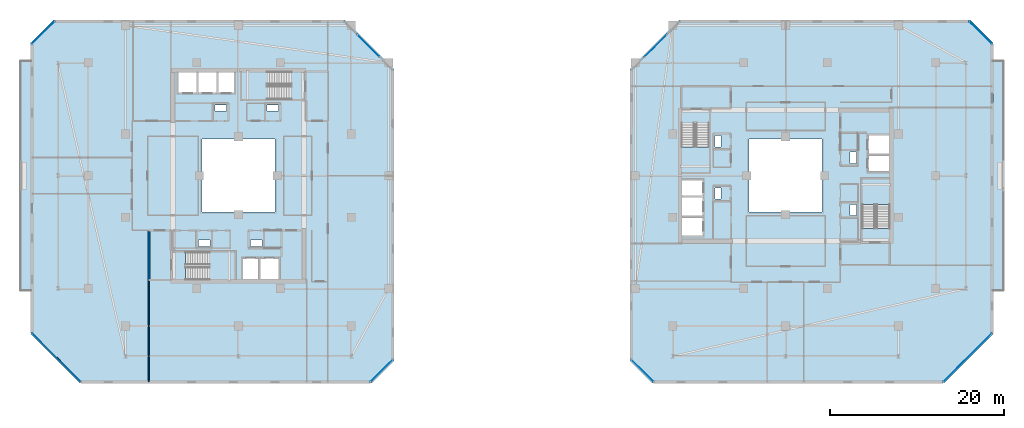
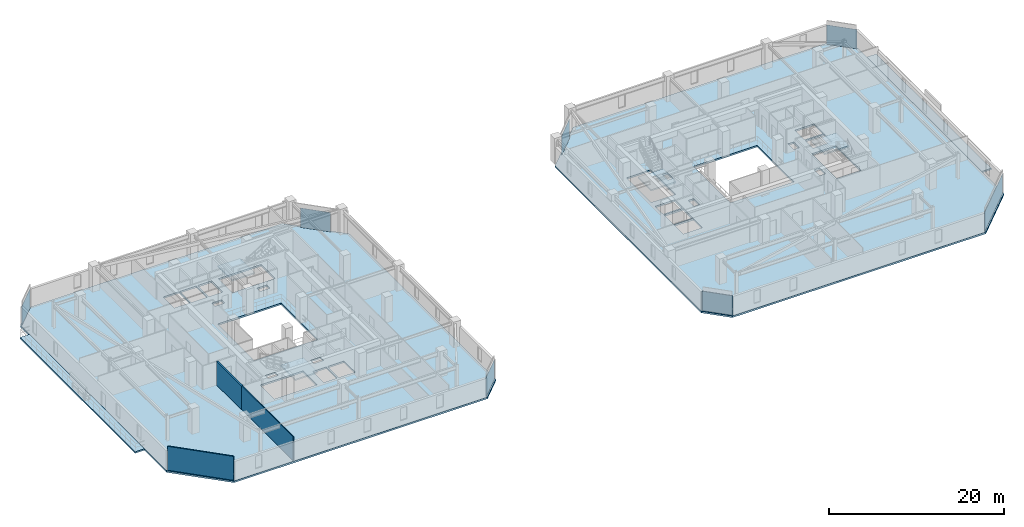
# One storey, part 17 of 31: 8 plates, 8 slabs, 3 walls, 12 elements without a shape of their own.
"""IFC4 building model written with IfcOpenShell, lengths in metres."""

from ifc_helpers import new_model, si_unit, direction, frame, frame_2d, origin, origin_2d, place, context, subcontext, project, spatial, polyline, rectangle, outline, extrude, material, layer, layer_set, type_object, element, aggregate, save


model = new_model("IFC4")

# Units and contexts
model_context = context("Model", 3, precision=1e-05, world=origin(), true_north=direction((0.0, 1.0)))
body_context = subcontext(model_context, "Body", "Model", "MODEL_VIEW")
ifc_project = project(units=[si_unit("LENGTHUNIT", "METRE"), si_unit("AREAUNIT", "SQUARE_METRE"), si_unit("VOLUMEUNIT", "CUBIC_METRE"), si_unit("PLANEANGLEUNIT", "RADIAN"), si_unit("MASSUNIT", "GRAM", prefix="KILO")], contexts=[model_context])

# Site, building, storey
site_placement = place(None, origin())
site = spatial("IfcSite", under=ifc_project, at=site_placement, CompositionType="ELEMENT")
building_placement = place(site_placement, origin())
building = spatial("IfcBuilding", under=site, at=building_placement, Name="Thornwick Lancets Civic Towers", CompositionType="ELEMENT")
storey_placement = place(building_placement, frame((0.0, 0.0, 236.699951171875)))
storey = spatial("IfcBuildingStorey", under=building, at=storey_placement, Name="L63", CompositionType="ELEMENT", Elevation=236.699951171875)

# Curtain wall, plate
ifc_material_1 = material(Name="High-zone chamfered-corner unitised glass curtain wall", Category="glass")
curtain_wall_type = type_object("IfcCurtainWallType", Name="CW_SYS_05", PredefinedType="NOTDEFINED", material=ifc_material_1)
curtain_wall_1_placement = place(storey_placement, origin())
curtain_wall_1 = element("IfcCurtainWall", 1, at=curtain_wall_1_placement, inside=storey, type_object=curtain_wall_type, Name="L63 Curtain Wall CW-L63-A-E1", PredefinedType="NOTDEFINED")
ifc_material_2 = material(Name="Low-e double glazing clear glass", Category="glass")
ifc_layer_1 = layer(ifc_material_2, 0.035888671875, Name="Low-e double glazing clear glass")
ifc_layer_set_1 = layer_set([ifc_layer_1], Name="Low-e double glazing clear glass")
plate_type = type_object("IfcPlateType", Name="CW_PNL_GLASS", PredefinedType="CURTAIN_PANEL", material=ifc_layer_set_1)
plate_1_placement = place(storey_placement, frame((41.972900390625, 4.527099609375, 0.0), z_axis=(0.0, 0.0, 1.0), x_axis=(0.707106781187, 0.707106781187, 0.0)))
plate_1 = element("IfcPlate", 2, at=plate_1_placement, type_object=plate_type, Name="CW-L63-A-E1 Panel 0", PredefinedType="CURTAIN_PANEL", context=body_context, shape_type="SweptSolid", body=[
    extrude(rectangle(XDim=3.649169921875, YDim=0.035888671875, at=origin_2d()), origin(), (0.0, 0.0, 1.0), 2.699951171875),
])
aggregate(curtain_wall_1, [plate_1])

curtain_wall_2_placement = place(storey_placement, origin())
curtain_wall_2 = element("IfcCurtainWall", 3, at=curtain_wall_2_placement, inside=storey, type_object=curtain_wall_type, Name="L63 Curtain Wall CW-L63-A-E3", PredefinedType="NOTDEFINED")
plate_2_placement = place(storey_placement, frame((40.451416015625, 41.951416015625, 0.0), z_axis=(0.0, 0.0, 1.0), x_axis=(-0.707106781187, 0.707106781187, 0.0)))
plate_2 = element("IfcPlate", 4, at=plate_2_placement, type_object=plate_type, Name="CW-L63-A-E3 Panel 0", PredefinedType="CURTAIN_PANEL", context=body_context, shape_type="SweptSolid", body=[
    extrude(rectangle(XDim=3.5771484375, YDim=0.035888671875, at=origin_2d()), origin(), (0.0, 0.0, 1.0), 2.699951171875),
])
aggregate(curtain_wall_2, [plate_2])

curtain_wall_3_placement = place(storey_placement, origin())
curtain_wall_3 = element("IfcCurtainWall", 5, at=curtain_wall_3_placement, inside=storey, type_object=curtain_wall_type, Name="L63 Curtain Wall CW-L63-A-E5", PredefinedType="NOTDEFINED")
plate_3_placement = place(storey_placement, frame((3.027099609375, 43.472900390625, 0.0), z_axis=(0.0, 0.0, 1.0), x_axis=(-0.707106781187, -0.707106781187, 0.0)))
plate_3 = element("IfcPlate", 6, at=plate_3_placement, type_object=plate_type, Name="CW-L63-A-E5 Panel 0", PredefinedType="CURTAIN_PANEL", context=body_context, shape_type="SweptSolid", body=[
    extrude(rectangle(XDim=3.649169921875, YDim=0.035888671875, at=origin_2d()), origin(), (0.0, 0.0, 1.0), 2.699951171875),
])
aggregate(curtain_wall_3, [plate_3])

curtain_wall_4_placement = place(storey_placement, origin())
curtain_wall_4 = element("IfcCurtainWall", 7, at=curtain_wall_4_placement, inside=storey, type_object=curtain_wall_type, Name="L63 Curtain Wall CW-L63-A-E7", PredefinedType="NOTDEFINED")
plate_4_placement = place(storey_placement, frame((4.548828125, 6.048828125, 0.0), z_axis=(0.0, 0.0, 1.0), x_axis=(0.707106781187, -0.707106781187, 0.0)))
plate_4 = element("IfcPlate", 8, at=plate_4_placement, type_object=plate_type, Name="CW-L63-A-E7 Panel 0", PredefinedType="CURTAIN_PANEL", context=body_context, shape_type="SweptSolid", body=[
    extrude(rectangle(XDim=7.925048828125, YDim=0.035888671875, at=origin_2d()), origin(), (0.0, 0.0, 1.0), 2.699951171875),
])
aggregate(curtain_wall_4, [plate_4])

curtain_wall_5_placement = place(storey_placement, origin())
curtain_wall_5 = element("IfcCurtainWall", 9, at=curtain_wall_5_placement, inside=storey, type_object=curtain_wall_type, Name="L63 Curtain Wall CW-L63-B-E1", PredefinedType="NOTDEFINED")
plate_5_placement = place(storey_placement, frame((109.451416015625, 6.048828125, 0.0), z_axis=(0.0, 0.0, 1.0), x_axis=(0.707106781187, 0.707106781187, 0.0)))
plate_5 = element("IfcPlate", 10, at=plate_5_placement, type_object=plate_type, Name="CW-L63-B-E1 Panel 0", PredefinedType="CURTAIN_PANEL", context=body_context, shape_type="SweptSolid", body=[
    extrude(rectangle(XDim=7.925048828125, YDim=0.035888671875, at=origin_2d()), origin(), (0.0, 0.0, 1.0), 2.699951171875),
])
aggregate(curtain_wall_5, [plate_5])

curtain_wall_6_placement = place(storey_placement, origin())
curtain_wall_6 = element("IfcCurtainWall", 11, at=curtain_wall_6_placement, inside=storey, type_object=curtain_wall_type, Name="L63 Curtain Wall CW-L63-B-E3", PredefinedType="NOTDEFINED")
plate_6_placement = place(storey_placement, frame((110.972900390625, 43.472900390625, 0.0), z_axis=(0.0, 0.0, 1.0), x_axis=(-0.707106781187, 0.707106781187, 0.0)))
plate_6 = element("IfcPlate", 12, at=plate_6_placement, type_object=plate_type, Name="CW-L63-B-E3 Panel 0", PredefinedType="CURTAIN_PANEL", context=body_context, shape_type="SweptSolid", body=[
    extrude(rectangle(XDim=3.649169921875, YDim=0.035888671875, at=origin_2d()), origin(), (0.0, 0.0, 1.0), 2.699951171875),
])
aggregate(curtain_wall_6, [plate_6])

curtain_wall_7_placement = place(storey_placement, origin())
curtain_wall_7 = element("IfcCurtainWall", 13, at=curtain_wall_7_placement, inside=storey, type_object=curtain_wall_type, Name="L63 Curtain Wall CW-L63-B-E5", PredefinedType="NOTDEFINED")
plate_7_placement = place(storey_placement, frame((73.548583984375, 41.951416015625, 0.0), z_axis=(0.0, 0.0, 1.0), x_axis=(-0.707106781187, -0.707106781187, 0.0)))
plate_7 = element("IfcPlate", 14, at=plate_7_placement, type_object=plate_type, Name="CW-L63-B-E5 Panel 0", PredefinedType="CURTAIN_PANEL", context=body_context, shape_type="SweptSolid", body=[
    extrude(rectangle(XDim=3.5771484375, YDim=0.035888671875, at=origin_2d()), origin(), (0.0, 0.0, 1.0), 2.699951171875),
])
aggregate(curtain_wall_7, [plate_7])

curtain_wall_8_placement = place(storey_placement, origin())
curtain_wall_8 = element("IfcCurtainWall", 15, at=curtain_wall_8_placement, inside=storey, type_object=curtain_wall_type, Name="L63 Curtain Wall CW-L63-B-E7", PredefinedType="NOTDEFINED")
plate_8_placement = place(storey_placement, frame((72.027099609375, 4.527099609375, 0.0), z_axis=(0.0, 0.0, 1.0), x_axis=(0.707106781187, -0.707106781187, 0.0)))
plate_8 = element("IfcPlate", 16, at=plate_8_placement, type_object=plate_type, Name="CW-L63-B-E7 Panel 0", PredefinedType="CURTAIN_PANEL", context=body_context, shape_type="SweptSolid", body=[
    extrude(rectangle(XDim=3.649169921875, YDim=0.035888671875, at=origin_2d()), origin(), (0.0, 0.0, 1.0), 2.699951171875),
])
aggregate(curtain_wall_8, [plate_8])

# Slabs
ifc_material_3 = material(Name="Post-tensioned concrete C40/50", Category="concrete")
ifc_layer_2 = layer(ifc_material_3, 0.199951171875, Name="Post-tensioned concrete C40/50")
ifc_layer_set_2 = layer_set([ifc_layer_2], Name="Post-tensioned concrete C40/50")
slab_type_1 = type_object("IfcSlabType", Name="SLAB_BALCONY_200", PredefinedType="FLOOR", material=ifc_layer_set_2)
slab_1_placement = place(storey_placement, frame((0.0, 0.0, -0.199951171875)))
element("IfcSlab", 17, at=slab_1_placement, inside=storey, type_object=slab_type_1, Name="L63 Tower A Planted Balcony Slab W", PredefinedType="FLOOR", context=body_context, shape_type="SweptSolid", body=[
    extrude(outline(polyline([(0.35009765625, 13.800048828125), (1.60009765625, 13.800048828125), (1.60009765625, 40.199951171875), (0.35009765625, 40.199951171875), (0.35009765625, 13.800048828125)])), origin(), (0.0, 0.0, 1.0), 0.199951171875),
])
slab_2_placement = place(storey_placement, frame((0.0, 0.0, -0.199951171875)))
element("IfcSlab", 18, at=slab_2_placement, inside=storey, type_object=slab_type_1, Name="L63 Tower B Planted Balcony Slab E", PredefinedType="FLOOR", context=body_context, shape_type="SweptSolid", body=[
    extrude(outline(polyline([(112.39990234375, 13.800048828125), (113.64990234375, 13.800048828125), (113.64990234375, 40.199951171875), (112.39990234375, 40.199951171875), (112.39990234375, 13.800048828125)])), origin(), (0.0, 0.0, 1.0), 0.199951171875),
])

# Stair, slab
ifc_material_4 = material(Name="Concrete C40/50", Category="concrete")
stair_type = type_object("IfcStairType", Name="STAIR_DL_3600", PredefinedType="HALF_TURN_STAIR", material=ifc_material_4)
stair_1_placement = place(storey_placement, origin())
stair_1 = element("IfcStair", 19, at=stair_1_placement, inside=storey, type_object=stair_type, Name="L63 Tower A South Exit Stair ST-A1", PredefinedType="HALF_TURN_STAIR")
ifc_layer_3 = layer(ifc_material_4, 0.25, Name="Concrete C40/50")
ifc_layer_set_3 = layer_set([ifc_layer_3], Name="Concrete C40/50")
slab_type_2 = type_object("IfcSlabType", Name="SLAB_LANDING_200", PredefinedType="LANDING", material=ifc_layer_set_3)
slab_3_placement = place(storey_placement, frame((0.0, 0.0, 1.60302734375)))
slab_3 = element("IfcSlab", 20, at=slab_3_placement, type_object=slab_type_2, Name="ST-A1 landing 1", PredefinedType="LANDING", context=body_context, shape_type="SweptSolid", body=[
    extrude(outline(polyline([(22.169921875, 14.93994140625), (25.14990234375, 14.93994140625), (25.14990234375, 18.260009765625), (22.169921875, 18.260009765625), (22.169921875, 14.93994140625)])), origin(), (0.0, 0.0, 1.0), 0.199951171875),
])
aggregate(stair_1, [slab_3])

stair_2_placement = place(storey_placement, origin())
stair_2 = element("IfcStair", 21, at=stair_2_placement, inside=storey, type_object=stair_type, Name="L63 Tower A North Exit Stair ST-A2", PredefinedType="HALF_TURN_STAIR")
slab_4_placement = place(storey_placement, frame((0.0, 0.0, 1.60302734375)))
slab_4 = element("IfcSlab", 22, at=slab_4_placement, type_object=slab_type_2, Name="ST-A2 landing 1", PredefinedType="LANDING", context=body_context, shape_type="SweptSolid", body=[
    extrude(outline(polyline([(28.830078125, 39.06005859375), (25.85009765625, 39.06005859375), (25.85009765625, 35.739990234375), (28.830078125, 35.739990234375), (28.830078125, 39.06005859375)])), origin(), (0.0, 0.0, 1.0), 0.199951171875),
])
aggregate(stair_2, [slab_4])

stair_3_placement = place(storey_placement, origin())
stair_3 = element("IfcStair", 23, at=stair_3_placement, inside=storey, type_object=stair_type, Name="L63 Tower B East Exit Stair ST-B1", PredefinedType="HALF_TURN_STAIR")
slab_5_placement = place(storey_placement, frame((0.0, 0.0, 1.60302734375)))
slab_5 = element("IfcSlab", 24, at=slab_5_placement, type_object=slab_type_2, Name="ST-B1 landing 1", PredefinedType="LANDING", context=body_context, shape_type="SweptSolid", body=[
    extrude(outline(polyline([(100.56005859375, 23.669921875), (100.56005859375, 26.64990234375), (97.239990234375, 26.64990234375), (97.239990234375, 23.669921875), (100.56005859375, 23.669921875)])), origin(), (0.0, 0.0, 1.0), 0.199951171875),
])
aggregate(stair_3, [slab_5])

stair_4_placement = place(storey_placement, origin())
stair_4 = element("IfcStair", 25, at=stair_4_placement, inside=storey, type_object=stair_type, Name="L63 Tower B West Exit Stair ST-B2", PredefinedType="HALF_TURN_STAIR")
slab_6_placement = place(storey_placement, frame((0.0, 0.0, 1.60302734375)))
slab_6 = element("IfcSlab", 26, at=slab_6_placement, type_object=slab_type_2, Name="ST-B2 landing 1", PredefinedType="LANDING", context=body_context, shape_type="SweptSolid", body=[
    extrude(outline(polyline([(76.43994140625, 30.330078125), (76.43994140625, 27.35009765625), (79.760009765625, 27.35009765625), (79.760009765625, 30.330078125), (76.43994140625, 30.330078125)])), origin(), (0.0, 0.0, 1.0), 0.199951171875),
])
aggregate(stair_4, [slab_6])

# Slabs
ifc_layer_4 = layer(ifc_material_3, 0.239990234375, Name="Post-tensioned concrete C40/50")
ifc_layer_set_4 = layer_set([ifc_layer_4], Name="Post-tensioned concrete C40/50")
slab_type_3 = type_object("IfcSlabType", Name="SLAB_PT_240", PredefinedType="FLOOR", material=ifc_layer_set_4)
slab_7_placement = place(storey_placement, frame((0.0, 0.0, -0.239990234375)))
element("IfcSlab", 27, at=slab_7_placement, inside=storey, type_object=slab_type_3, Name="L63 Tower A Floor Slab", PredefinedType="FLOOR", context=body_context, shape_type="SweptSolid", body=[
    extrude(outline(polyline([(7.24609375, 3.10009765625), (40.800048828125, 3.10009765625), (43.39990234375, 5.699951171875), (43.39990234375, 39.25390625), (37.75390625, 44.89990234375), (4.199951171875, 44.89990234375), (1.60009765625, 42.300048828125), (1.60009765625, 8.74609375), (7.24609375, 3.10009765625)]), holes=[polyline([(21.300048828125, 22.800048828125), (29.699951171875, 22.800048828125), (29.699951171875, 31.199951171875), (21.300048828125, 31.199951171875), (21.300048828125, 22.800048828125)]), polyline([(19.429931640625, 15.0), (25.10009765625, 15.0), (25.10009765625, 18.199951171875), (19.429931640625, 18.199951171875), (19.429931640625, 15.0)]), polyline([(31.570068359375, 39.0), (25.89990234375, 39.0), (25.89990234375, 35.800048828125), (31.570068359375, 35.800048828125), (31.570068359375, 39.0)]), polyline([(26.0, 15.0), (27.800048828125, 15.0), (27.800048828125, 17.550048828125), (26.0, 17.550048828125), (26.0, 15.0)]), polyline([(28.0, 15.0), (30.14990234375, 15.0), (30.14990234375, 17.550048828125), (28.0, 17.550048828125), (28.0, 15.0)]), polyline([(23.199951171875, 36.449951171875), (25.0, 36.449951171875), (25.0, 39.0), (23.199951171875, 39.0), (23.199951171875, 36.449951171875)]), polyline([(20.85009765625, 36.449951171875), (23.0, 36.449951171875), (23.0, 39.0), (20.85009765625, 39.0), (20.85009765625, 36.449951171875)]), polyline([(18.60009765625, 36.449951171875), (20.699951171875, 36.449951171875), (20.699951171875, 39.0), (18.60009765625, 39.0), (18.60009765625, 36.449951171875)]), polyline([(26.89990234375, 18.85009765625), (28.199951171875, 18.85009765625), (28.199951171875, 19.580078125), (26.89990234375, 19.580078125), (26.89990234375, 18.85009765625)]), polyline([(20.89990234375, 18.85009765625), (22.199951171875, 18.85009765625), (22.199951171875, 19.580078125), (20.89990234375, 19.580078125), (20.89990234375, 18.85009765625)]), polyline([(22.800048828125, 34.419921875), (24.10009765625, 34.419921875), (24.10009765625, 35.14990234375), (22.800048828125, 35.14990234375), (22.800048828125, 34.419921875)]), polyline([(28.800048828125, 34.419921875), (30.10009765625, 34.419921875), (30.10009765625, 35.14990234375), (28.800048828125, 35.14990234375), (28.800048828125, 34.419921875)])]), origin(), (0.0, 0.0, 1.0), 0.239990234375),
])
slab_8_placement = place(storey_placement, frame((0.0, 0.0, -0.239990234375)))
element("IfcSlab", 28, at=slab_8_placement, inside=storey, type_object=slab_type_3, Name="L63 Tower B Floor Slab", PredefinedType="FLOOR", context=body_context, shape_type="SweptSolid", body=[
    extrude(outline(polyline([(73.199951171875, 3.10009765625), (106.75390625, 3.10009765625), (112.39990234375, 8.74609375), (112.39990234375, 42.300048828125), (109.800048828125, 44.89990234375), (76.24609375, 44.89990234375), (70.60009765625, 39.25390625), (70.60009765625, 5.699951171875), (73.199951171875, 3.10009765625)]), holes=[polyline([(84.300048828125, 22.800048828125), (92.699951171875, 22.800048828125), (92.699951171875, 31.199951171875), (84.300048828125, 31.199951171875), (84.300048828125, 22.800048828125)]), polyline([(100.5, 20.929931640625), (100.5, 26.60009765625), (97.300048828125, 26.60009765625), (97.300048828125, 20.929931640625), (100.5, 20.929931640625)]), polyline([(76.5, 33.070068359375), (76.5, 27.39990234375), (79.699951171875, 27.39990234375), (79.699951171875, 33.070068359375), (76.5, 33.070068359375)]), polyline([(97.949951171875, 27.5), (100.5, 27.5), (100.5, 29.300048828125), (97.949951171875, 29.300048828125), (97.949951171875, 27.5)]), polyline([(97.949951171875, 29.5), (100.5, 29.5), (100.5, 31.64990234375), (97.949951171875, 31.64990234375), (97.949951171875, 29.5)]), polyline([(76.5, 24.699951171875), (79.050048828125, 24.699951171875), (79.050048828125, 26.5), (76.5, 26.5), (76.5, 24.699951171875)]), polyline([(76.5, 22.35009765625), (79.050048828125, 22.35009765625), (79.050048828125, 24.5), (76.5, 24.5), (76.5, 22.35009765625)]), polyline([(76.5, 20.10009765625), (79.050048828125, 20.10009765625), (79.050048828125, 22.199951171875), (76.5, 22.199951171875), (76.5, 20.10009765625)]), polyline([(95.919921875, 28.39990234375), (96.64990234375, 28.39990234375), (96.64990234375, 29.699951171875), (95.919921875, 29.699951171875), (95.919921875, 28.39990234375)]), polyline([(95.919921875, 22.39990234375), (96.64990234375, 22.39990234375), (96.64990234375, 23.699951171875), (95.919921875, 23.699951171875), (95.919921875, 22.39990234375)]), polyline([(80.35009765625, 24.300048828125), (81.080078125, 24.300048828125), (81.080078125, 25.60009765625), (80.35009765625, 25.60009765625), (80.35009765625, 24.300048828125)]), polyline([(80.35009765625, 30.300048828125), (81.080078125, 30.300048828125), (81.080078125, 31.60009765625), (80.35009765625, 31.60009765625), (80.35009765625, 30.300048828125)])]), origin(), (0.0, 0.0, 1.0), 0.239990234375),
])

# Walls
ifc_material_5 = material(Name="Concrete blockwork C40/50", Category="masonry")
ifc_layer_5 = layer(ifc_material_5, 0.199951171875, Name="Concrete blockwork C40/50")
ifc_layer_set_5 = layer_set([ifc_layer_5], Name="Concrete blockwork C40/50")
wall_type_1 = type_object("IfcWallType", Name="WALL_COMP_200", PredefinedType="STANDARD", material=ifc_layer_set_5)
wall_1_placement = place(storey_placement, frame((15.199951171875, 20.699951171875, 0.0), z_axis=(0.0, 0.0, 1.0), x_axis=(0.0, -1.0, 0.0)))
element("IfcWall", 29, at=wall_1_placement, inside=storey, type_object=wall_type_1, Name="L63 Partition L63-A-FFLOB1 E4", PredefinedType="STANDARD", context=body_context, shape_type="SweptSolid", body=[
    extrude(rectangle(XDim=5.699951171875, YDim=0.199951171875, at=frame_2d((2.85009765625, 0.0))), origin(), (0.0, 0.0, 1.0), 3.340087890625),
])
ifc_material_6 = material(Name="Acoustic gypsum board partition")
ifc_layer_6 = layer(ifc_material_6, 0.1201171875, Name="Acoustic gypsum board partition")
ifc_layer_set_6 = layer_set([ifc_layer_6], Name="Acoustic gypsum board partition")
wall_type_2 = type_object("IfcWallType", Name="WALL_PART_120", PredefinedType="PARTITIONING", material=ifc_layer_set_6)
wall_2_placement = place(storey_placement, frame((15.199951171875, 15.0, 0.0), z_axis=(0.0, 0.0, 1.0), x_axis=(0.0, -1.0, 0.0)))
element("IfcWall", 30, at=wall_2_placement, inside=storey, type_object=wall_type_2, Name="L63 Partition L63-A-W1 E4", PredefinedType="PARTITIONING", context=body_context, shape_type="SweptSolid", body=[
    extrude(rectangle(XDim=11.719970703125, YDim=0.1201171875, at=frame_2d((5.85986328125, 0.0))), origin(), (0.0, 0.0, 1.0), 3.340087890625),
])
wall_3_placement = place(storey_placement, frame((7.320556640625, 3.280029296875, 0.0), z_axis=(0.0, 0.0, 1.0), x_axis=(-0.707106781187, 0.707106781187, 0.0)))
element("IfcWall", 31, at=wall_3_placement, inside=storey, type_object=wall_type_2, Name="L63 Partition L63-A-W1 E6", PredefinedType="PARTITIONING", context=body_context, shape_type="SweptSolid", body=[
    extrude(rectangle(XDim=7.83544921875, YDim=0.1201171875, at=frame_2d((3.917724609375, 0.0))), origin(), (0.0, 0.0, 1.0), 3.340087890625),
])

save(model, "model.ifc")
